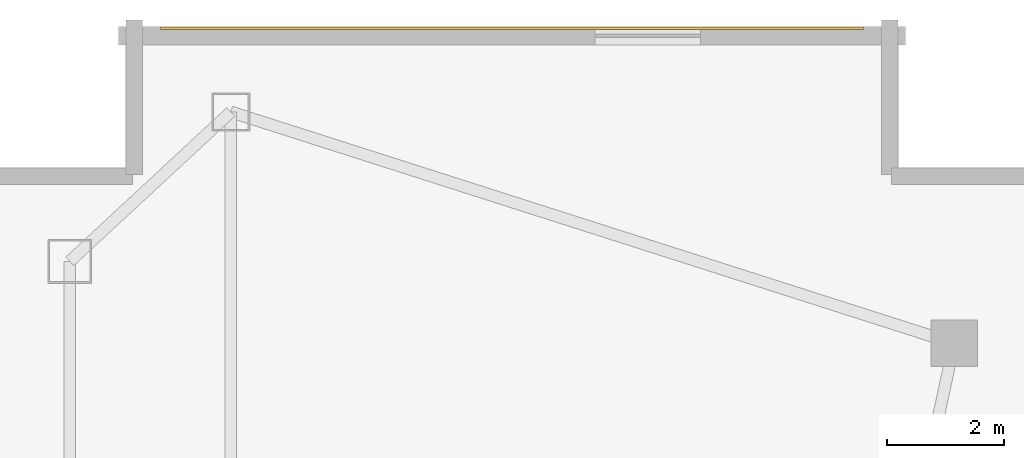
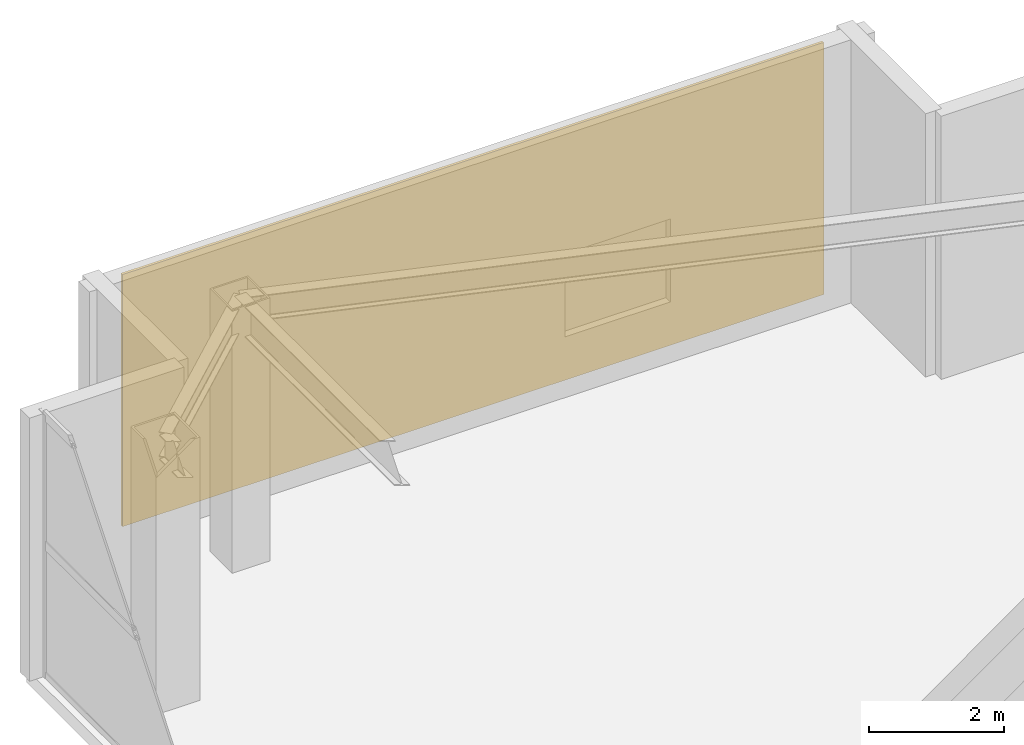
# One storey, part 20 of 20: 1 covering.
"""IFC4 building model written with IfcOpenShell, lengths in metres."""

from ifc_helpers import new_model, si_unit, direction, frame, origin, origin_2d, place, context, subcontext, project, spatial, rectangle, extrude, material, layer, layer_set, type_object, element, save


model = new_model("IFC4")

# Units and contexts
model_context = context("Model", 3, precision=1e-05, world=origin(), true_north=direction((0.0, 1.0)))
body_context = subcontext(model_context, "Body", "Model", "MODEL_VIEW")
ifc_project = project(units=[si_unit("LENGTHUNIT", "METRE"), si_unit("AREAUNIT", "SQUARE_METRE"), si_unit("VOLUMEUNIT", "CUBIC_METRE"), si_unit("PLANEANGLEUNIT", "RADIAN"), si_unit("MASSUNIT", "GRAM", prefix="KILO")], contexts=[model_context])

# Site, building, storey
site_placement = place(None, origin())
site = spatial("IfcSite", under=ifc_project, at=site_placement, CompositionType="ELEMENT")
building_placement = place(site_placement, origin())
building = spatial("IfcBuilding", under=site, at=building_placement, Name="Calvorn Quay Hotel", CompositionType="ELEMENT")
storey_placement = place(building_placement, frame((0.0, 0.0, 335.5)))
storey = spatial("IfcBuildingStorey", under=building, at=storey_placement, Name="L82", CompositionType="ELEMENT", Elevation=335.5)

# Covering
ifc_material = material(Name="Pale Anodised Aluminium Rainscreen Cladding", Category="aluminium")
ifc_layer = layer(ifc_material, 0.044921875)
ifc_layer_set = layer_set([ifc_layer], Name="COV-CROWN-CLAD")
covering_type = type_object("IfcCoveringType", Name="COV-CROWN-CLAD", PredefinedType="CLADDING", material=ifc_layer_set)
covering_placement = place(storey_placement, frame((9.0, 50.97998046875, 0.099853515625), z_axis=(0.0, 0.0, 1.0), x_axis=(1.0, 0.0, 0.0)))
element("IfcCovering", 1, at=covering_placement, inside=storey, type_object=covering_type, Name="Crown Pale-Metal Cladding (L82)", PredefinedType="CLADDING", context=body_context, shape_type="SweptSolid", body=[
    extrude(rectangle(XDim=12.0, YDim=0.044921875, at=origin_2d()), origin(), (0.0, 0.0, 1.0), 4.56005859375),
])

save(model, "model.ifc")
